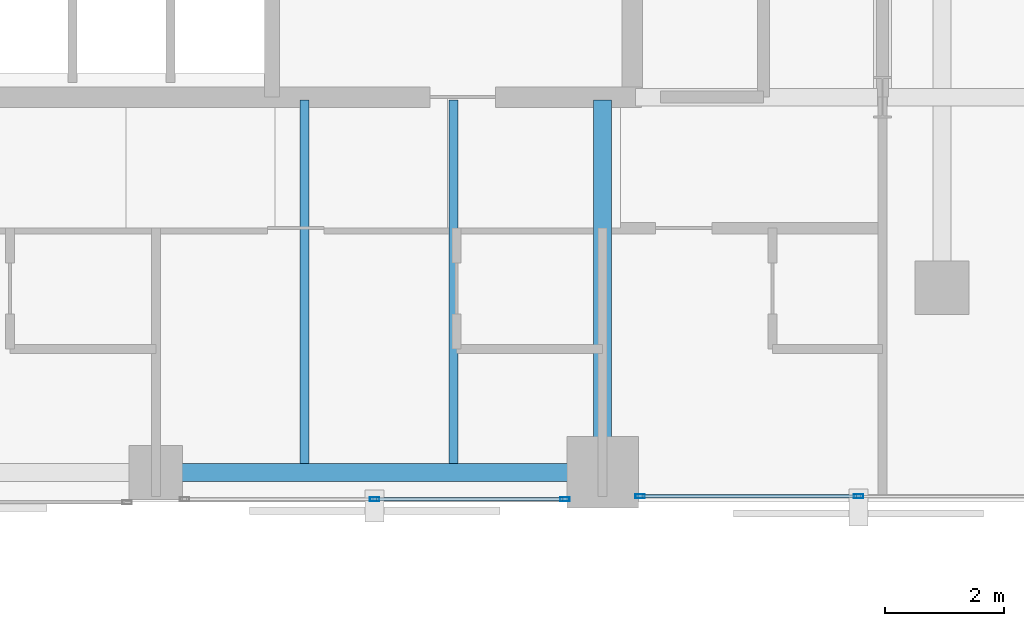
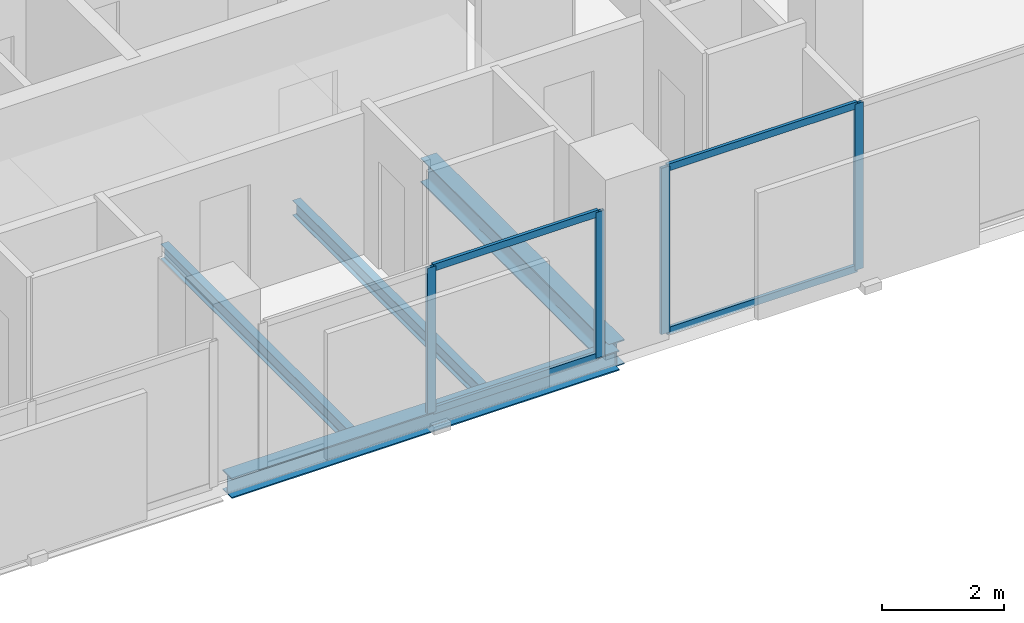
# One storey, part 14 of 34: 8 members, 4 beams, 2 elements without a shape of their own.
"""IFC4 building model written with IfcOpenShell, lengths in metres."""

from ifc_helpers import new_model, si_unit, direction, frame, origin, origin_2d, place, context, subcontext, project, spatial, hollow_rectangle, i_section, extrude, material, layer, layer_set, material_profile, profile_set, type_object, element, aggregate, save


model = new_model("IFC4")

# Units and contexts
model_context = context("Model", 3, precision=1e-05, world=origin(), true_north=direction((0.0, 1.0)))
body_context = subcontext(model_context, "Body", "Model", "MODEL_VIEW")
ifc_project = project(units=[si_unit("LENGTHUNIT", "METRE"), si_unit("AREAUNIT", "SQUARE_METRE"), si_unit("VOLUMEUNIT", "CUBIC_METRE"), si_unit("PLANEANGLEUNIT", "RADIAN"), si_unit("MASSUNIT", "GRAM", prefix="KILO")], contexts=[model_context])

# Site, building, storey
site_placement = place(None, origin())
site = spatial("IfcSite", under=ifc_project, at=site_placement, CompositionType="ELEMENT")
building_placement = place(site_placement, origin())
building = spatial("IfcBuilding", under=site, at=building_placement, Name="Catumbela Crestline Tower", CompositionType="ELEMENT")
storey_placement = place(building_placement, frame((0.0, 0.0, 93.6)))
storey = spatial("IfcBuildingStorey", under=building, at=storey_placement, Name="L23", CompositionType="ELEMENT", Elevation=93.6)

# Beams
ifc_material_1 = material(Name="Structural steel S355J2", Category="steel")
ifc_material_profile_1 = material_profile(ifc_material_1, i_section(OverallWidth=0.3, OverallDepth=0.49, WebThickness=0.012, FlangeThickness=0.023, FilletRadius=0.027, at=origin_2d()), Name="HEA 500")
ifc_profile_set_1 = profile_set([ifc_material_profile_1], Name="Structural steel S355J2")
beam_type_1 = type_object("IfcBeamType", Name="BG-HEA500", PredefinedType="BEAM", material=ifc_profile_set_1)
beam_1_placement = place(storey_placement, frame((39.5, 24.58, -0.505), z_axis=(0.0, 1.0, 0.0), x_axis=(-1.0, 0.0, 0.0)))
element("IfcBeam", 1, at=beam_1_placement, inside=storey, type_object=beam_type_1, Name="L23 Beam BM-L23-SNS31", PredefinedType="BEAM", context=body_context, shape_type="SweptSolid", body=[
    extrude(i_section(OverallWidth=0.3, OverallDepth=0.49, WebThickness=0.012, FlangeThickness=0.023, FilletRadius=0.027, at=origin_2d()), origin(), (0.0, 0.0, 1.0), 6.17),
])
ifc_material_profile_2 = material_profile(ifc_material_1, i_section(OverallWidth=0.15, OverallDepth=0.3, WebThickness=0.0071, FlangeThickness=0.0107, FilletRadius=0.015, at=origin_2d()), Name="IPE 300")
ifc_profile_set_2 = profile_set([ifc_material_profile_2], Name="Structural steel S355J2")
beam_type_2 = type_object("IfcBeamType", Name="BJ-IPE300", PredefinedType="JOIST", material=ifc_profile_set_2)
for number, where, z_axis, x_axis, name in (
    (2, (34.5, 24.647, -0.41), (0.0, 1.0, 0.0), (-1.0, 0.0, 0.0), "L23 Joist JS-L23-SP41"),
    (3, (37.0, 24.647, -0.41), (0.0, 1.0, 0.0), (-1.0, 0.0, 0.0), "L23 Joist JS-L23-SP42"),
):
    element("IfcBeam", number, at=place(storey_placement, frame(where, z_axis=z_axis, x_axis=x_axis)), inside=storey, type_object=beam_type_2, Name=name, PredefinedType="JOIST", context=body_context, shape_type="SweptSolid", body=[
        extrude(i_section(OverallWidth=0.15, OverallDepth=0.3, WebThickness=0.0071, FlangeThickness=0.0107, FilletRadius=0.015, at=origin_2d()), origin(), (0.0, 0.0, 1.0), 6.103),
    ])

# Curtain wall, members
ifc_material_2 = material(Name="Aluminium alloy AW-6060-T66", Category="aluminium")
ifc_layer = layer(ifc_material_2, 0.18, Name="Aluminium alloy AW-6060-T66")
ifc_layer_set = layer_set([ifc_layer], Name="Aluminium alloy AW-6060-T66")
curtain_wall_type = type_object("IfcCurtainWallType", Name="CWU-Z2", PredefinedType="USERDEFINED", material=ifc_layer_set)
curtain_wall_1_placement = place(storey_placement, origin())
curtain_wall_1 = element("IfcCurtainWall", 4, at=curtain_wall_1_placement, inside=storey, type_object=curtain_wall_type, Name="L23 Unitised Curtain Wall CW-L23-E3S2", ObjectType="UNITISED", PredefinedType="USERDEFINED")
ifc_material_profile_3 = material_profile(ifc_material_2, hollow_rectangle(XDim=0.06, YDim=0.16, WallThickness=0.004, at=origin_2d()), Name="ALU 160x60x4")
ifc_profile_set_3 = profile_set([ifc_material_profile_3], Name="Aluminium alloy AW-6060-T66")
member_type_1 = type_object("IfcMemberType", Name="MUL-160X60", PredefinedType="MULLION", material=ifc_profile_set_3)
member_1_placement = place(storey_placement, frame((35.675, 24.05, 0.0), z_axis=(0.0, 0.0, 1.0), x_axis=(0.0, 1.0, 0.0)))
member_1 = element("IfcMember", 5, at=member_1_placement, type_object=member_type_1, Name="CWU-Z2 mullion 2", PredefinedType="MULLION", context=body_context, shape_type="SweptSolid", body=[
    extrude(hollow_rectangle(XDim=0.06, YDim=0.16, WallThickness=0.004, at=origin_2d()), origin(), (0.0, 0.0, 1.0), 2.92),
])
member_2_placement = place(storey_placement, frame((38.8675, 24.05, 0.0), z_axis=(0.0, 0.0, 1.0), x_axis=(0.0, 1.0, 0.0)))
member_2 = element("IfcMember", 6, at=member_2_placement, type_object=member_type_1, Name="CWU-Z2 mullion 3", PredefinedType="MULLION", context=body_context, shape_type="SweptSolid", body=[
    extrude(hollow_rectangle(XDim=0.06, YDim=0.16, WallThickness=0.004, at=origin_2d()), origin(), (0.0, 0.0, 1.0), 2.92),
])

curtain_wall_2_placement = place(storey_placement, origin())
curtain_wall_2 = element("IfcCurtainWall", 7, at=curtain_wall_2_placement, inside=storey, type_object=curtain_wall_type, Name="L23 Unitised Curtain Wall CW-L23-E3S3", ObjectType="UNITISED", PredefinedType="USERDEFINED")
member_3_placement = place(storey_placement, frame((40.1325, 24.1, 0.0), z_axis=(0.0, 0.0, 1.0), x_axis=(0.0, 1.0, 0.0)))
member_3 = element("IfcMember", 8, at=member_3_placement, type_object=member_type_1, Name="CWU-Z2 mullion 1", PredefinedType="MULLION", context=body_context, shape_type="SweptSolid", body=[
    extrude(hollow_rectangle(XDim=0.06, YDim=0.16, WallThickness=0.004, at=origin_2d()), origin(), (0.0, 0.0, 1.0), 3.33),
])
member_4_placement = place(storey_placement, frame((43.8, 24.1, 0.0), z_axis=(0.0, 0.0, 1.0), x_axis=(0.0, 1.0, 0.0)))
member_4 = element("IfcMember", 9, at=member_4_placement, type_object=member_type_1, Name="CWU-Z2 mullion 2", PredefinedType="MULLION", context=body_context, shape_type="SweptSolid", body=[
    extrude(hollow_rectangle(XDim=0.06, YDim=0.16, WallThickness=0.004, at=origin_2d()), origin(), (0.0, 0.0, 1.0), 3.33),
])

# Beam
ifc_material_profile_4 = material_profile(ifc_material_1, i_section(OverallWidth=0.3, OverallDepth=0.4, WebThickness=0.0135, FlangeThickness=0.024, FilletRadius=0.027, at=origin_2d()), Name="HEB 400")
ifc_profile_set_4 = profile_set([ifc_material_profile_4], Name="Structural steel S355J2")
beam_type_3 = type_object("IfcBeamType", Name="BS-HEB400", PredefinedType="SPANDREL", material=ifc_profile_set_4)
beam_2_placement = place(storey_placement, frame((32.08, 24.5, -0.46), z_axis=(1.0, 0.0, 0.0), x_axis=(0.0, 1.0, 0.0)))
element("IfcBeam", 10, at=beam_2_placement, inside=storey, type_object=beam_type_3, Name="L23 Spandrel SP-L23-S06", PredefinedType="SPANDREL", context=body_context, shape_type="SweptSolid", body=[
    extrude(i_section(OverallWidth=0.3, OverallDepth=0.4, WebThickness=0.0135, FlangeThickness=0.024, FilletRadius=0.027, at=origin_2d()), origin(), (0.0, 0.0, 1.0), 7.34),
])

# Member
ifc_material_profile_5 = material_profile(ifc_material_2, hollow_rectangle(XDim=0.06, YDim=0.14, WallThickness=0.004, at=origin_2d()), Name="ALU 140x60x4")
ifc_profile_set_5 = profile_set([ifc_material_profile_5], Name="Aluminium alloy AW-6060-T66")
member_type_2 = type_object("IfcMemberType", Name="TRN-140X60", PredefinedType="USERDEFINED", material=ifc_profile_set_5)
member_5_placement = place(storey_placement, frame((35.7075, 24.05, 0.03), z_axis=(1.0, 0.0, 0.0), x_axis=(0.0, 1.0, 0.0)))
member_5 = element("IfcMember", 11, at=member_5_placement, type_object=member_type_2, Name="CWU-Z2 transom 2.1", ObjectType="TRANSOM", PredefinedType="USERDEFINED", context=body_context, shape_type="SweptSolid", body=[
    extrude(hollow_rectangle(XDim=0.06, YDim=0.14, WallThickness=0.004, at=origin_2d()), origin(), (0.0, 0.0, 1.0), 3.1275),
])

member_6_placement = place(storey_placement, frame((35.7075, 24.05, 2.89), z_axis=(1.0, 0.0, 0.0), x_axis=(0.0, 1.0, 0.0)))
member_6 = element("IfcMember", 12, at=member_6_placement, type_object=member_type_2, Name="CWU-Z2 transom 2.2", ObjectType="TRANSOM", PredefinedType="USERDEFINED", context=body_context, shape_type="SweptSolid", body=[
    extrude(hollow_rectangle(XDim=0.06, YDim=0.14, WallThickness=0.004, at=origin_2d()), origin(), (0.0, 0.0, 1.0), 3.1275),
])

aggregate(curtain_wall_1, [member_1, member_2, member_5, member_6])

member_7_placement = place(storey_placement, frame((40.165, 24.1, 0.03), z_axis=(1.0, 0.0, 0.0), x_axis=(0.0, 1.0, 0.0)))
member_7 = element("IfcMember", 13, at=member_7_placement, type_object=member_type_2, Name="CWU-Z2 transom 1.1", ObjectType="TRANSOM", PredefinedType="USERDEFINED", context=body_context, shape_type="SweptSolid", body=[
    extrude(hollow_rectangle(XDim=0.06, YDim=0.14, WallThickness=0.004, at=origin_2d()), origin(), (0.0, 0.0, 1.0), 3.6025),
])

member_8_placement = place(storey_placement, frame((40.165, 24.1, 3.3), z_axis=(1.0, 0.0, 0.0), x_axis=(0.0, 1.0, 0.0)))
member_8 = element("IfcMember", 14, at=member_8_placement, type_object=member_type_2, Name="CWU-Z2 transom 1.2", ObjectType="TRANSOM", PredefinedType="USERDEFINED", context=body_context, shape_type="SweptSolid", body=[
    extrude(hollow_rectangle(XDim=0.06, YDim=0.14, WallThickness=0.004, at=origin_2d()), origin(), (0.0, 0.0, 1.0), 3.6025),
])

aggregate(curtain_wall_2, [member_3, member_4, member_7, member_8])

save(model, "model.ifc")
